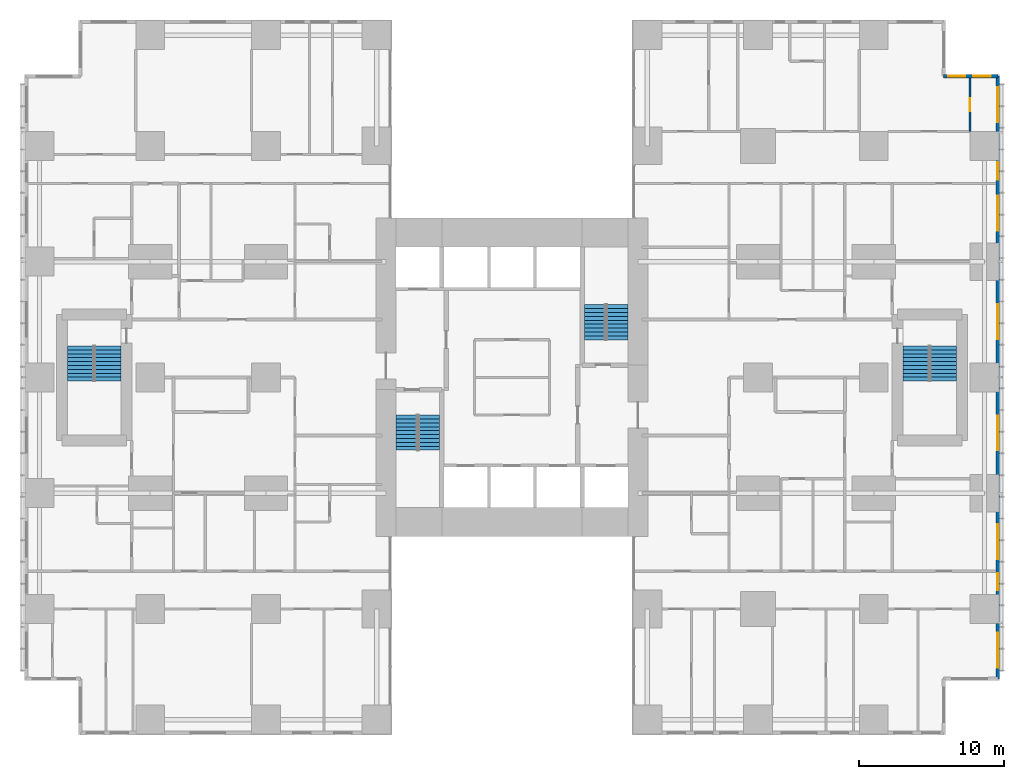
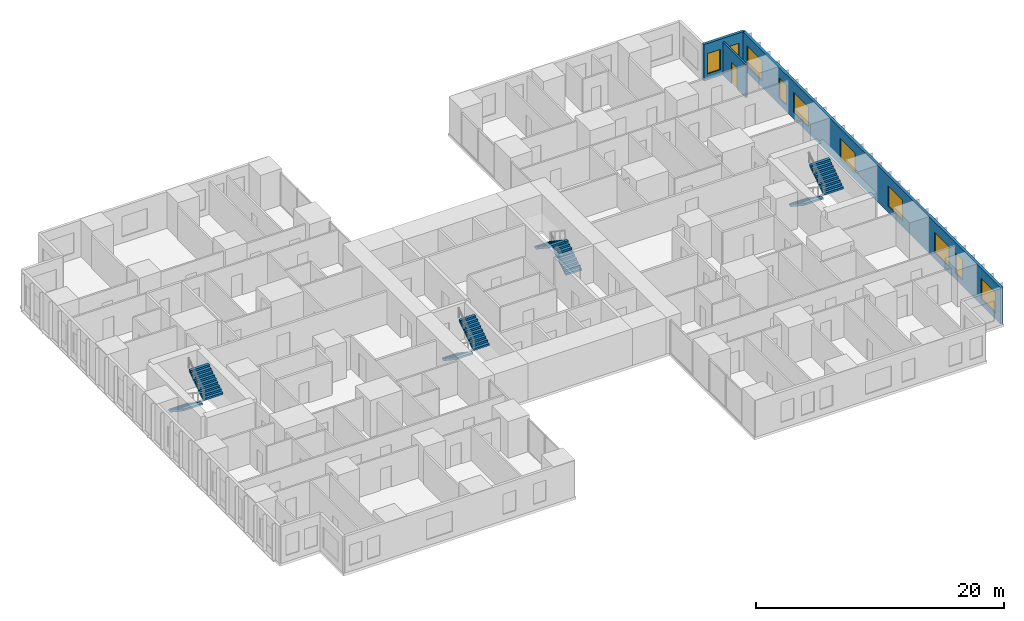
# One storey, part 19 of 20: 10 windows, 8 stair flights, 3 walls, 1 door, 11 openings, 4 elements without a shape of their own.
"""IFC4 building model written with IfcOpenShell, lengths in metres."""

from ifc_helpers import new_model, si_unit, direction, frame, frame_2d, origin, place, context, subcontext, project, spatial, polyline, rectangle, outline, extrude, material, layer, layer_set, type_object, element, fill, aggregate, save


model = new_model("IFC4")

# Units and contexts
model_context = context("Model", 3, precision=1e-05, world=origin(), true_north=direction((0.0, 1.0)))
body_context = subcontext(model_context, "Body", "Model", "MODEL_VIEW")
ifc_project = project(units=[si_unit("LENGTHUNIT", "METRE"), si_unit("AREAUNIT", "SQUARE_METRE"), si_unit("VOLUMEUNIT", "CUBIC_METRE"), si_unit("PLANEANGLEUNIT", "RADIAN"), si_unit("MASSUNIT", "GRAM", prefix="KILO")], contexts=[model_context])

# Site, building, storey
site_placement = place(None, origin())
site = spatial("IfcSite", under=ifc_project, at=site_placement, CompositionType="ELEMENT")
building_placement = place(site_placement, origin())
building = spatial("IfcBuilding", under=site, at=building_placement, Name="Cleftline Residences", CompositionType="ELEMENT")
storey_placement = place(building_placement, frame((0.0, 0.0, 87.199951171875)))
storey = spatial("IfcBuildingStorey", under=building, at=storey_placement, Name="L22", CompositionType="ELEMENT", Elevation=87.199951171875)

# Wall, openings, windows
ifc_material_1 = material(Name="Rendered reinforced concrete blockwork", Category="masonry")
ifc_layer_1 = layer(ifc_material_1, 0.25)
ifc_layer_set_1 = layer_set([ifc_layer_1], Name="EXTERNAL WALL 250")
wall_type_1 = type_object("IfcWallType", Name="EXTERNAL WALL 250", PredefinedType="SOLIDWALL", material=ifc_layer_set_1)
wall_1_placement = place(storey_placement, frame((66.574951171875, 3.175048828125, 0.0), z_axis=(0.0, 0.0, 1.0), x_axis=(0.0, 1.0, 0.0)))
wall_1 = element("IfcWall", 1, at=wall_1_placement, inside=storey, type_object=wall_type_1, Name="External wall", PredefinedType="SOLIDWALL", context=body_context, shape_type="SweptSolid", body=[
    extrude(rectangle(XDim=41.64990234375, YDim=0.25, at=frame_2d((20.824951171875, 0.0))), origin(), (0.0, 0.0, 1.0), 3.60009765625),
])
opening_1_placement = place(wall_1_placement, frame((0.77490234375, 0.0, 0.60009765625)))
opening_1 = element("IfcOpeningElement", 2, at=opening_1_placement, cuts=wall_1, Name="Opening W6", PredefinedType="OPENING", context=body_context, shape_type="SweptSolid", body=[
    extrude(rectangle(XDim=2.39990234375, YDim=2.0, at=frame_2d((1.199951171875, 1.0))), frame((0.0, 0.135009765625, 0.0), z_axis=(0.0, -1.0, 0.0), x_axis=(1.0, 0.0, 0.0)), (0.0, 0.0, 1.0), 0.27001953125),
])
opening_2_placement = place(wall_1_placement, frame((6.10009765625, 0.0, 0.60009765625)))
opening_2 = element("IfcOpeningElement", 3, at=opening_2_placement, cuts=wall_1, Name="Opening W8", PredefinedType="OPENING", context=body_context, shape_type="SweptSolid", body=[
    extrude(rectangle(XDim=1.199951171875, YDim=2.0, at=frame_2d((0.60009765625, 1.0))), frame((0.0, 0.135009765625, 0.0), z_axis=(0.0, -1.0, 0.0), x_axis=(1.0, 0.0, 0.0)), (0.0, 0.0, 1.0), 0.27001953125),
])
opening_3_placement = place(wall_1_placement, frame((8.27490234375, 0.0, 0.60009765625)))
opening_3 = element("IfcOpeningElement", 4, at=opening_3_placement, cuts=wall_1, Name="Opening W6", PredefinedType="OPENING", context=body_context, shape_type="SweptSolid", body=[
    extrude(rectangle(XDim=2.39990234375, YDim=2.0, at=frame_2d((1.199951171875, 1.0))), frame((0.0, 0.135009765625, 0.0), z_axis=(0.0, -1.0, 0.0), x_axis=(1.0, 0.0, 0.0)), (0.0, 0.0, 1.0), 0.27001953125),
])
opening_4_placement = place(wall_1_placement, frame((15.77490234375, 0.0, 0.60009765625)))
opening_4 = element("IfcOpeningElement", 5, at=opening_4_placement, cuts=wall_1, Name="Opening W6", PredefinedType="OPENING", context=body_context, shape_type="SweptSolid", body=[
    extrude(rectangle(XDim=2.39990234375, YDim=2.0, at=frame_2d((1.199951171875, 1.0))), frame((0.0, 0.135009765625, 0.0), z_axis=(0.0, -1.0, 0.0), x_axis=(1.0, 0.0, 0.0)), (0.0, 0.0, 1.0), 0.27001953125),
])
opening_5_placement = place(wall_1_placement, frame((23.47509765625, 0.0, 0.60009765625)))
opening_5 = element("IfcOpeningElement", 6, at=opening_5_placement, cuts=wall_1, Name="Opening W6", PredefinedType="OPENING", context=body_context, shape_type="SweptSolid", body=[
    extrude(rectangle(XDim=2.39990234375, YDim=2.0, at=frame_2d((1.199951171875, 1.0))), frame((0.0, 0.135009765625, 0.0), z_axis=(0.0, -1.0, 0.0), x_axis=(1.0, 0.0, 0.0)), (0.0, 0.0, 1.0), 0.27001953125),
])
opening_6_placement = place(wall_1_placement, frame((30.97509765625, 0.0, 0.60009765625)))
opening_6 = element("IfcOpeningElement", 7, at=opening_6_placement, cuts=wall_1, Name="Opening W6", PredefinedType="OPENING", context=body_context, shape_type="SweptSolid", body=[
    extrude(rectangle(XDim=2.39990234375, YDim=2.0, at=frame_2d((1.199951171875, 1.0))), frame((0.0, 0.135009765625, 0.0), z_axis=(0.0, -1.0, 0.0), x_axis=(1.0, 0.0, 0.0)), (0.0, 0.0, 1.0), 0.27001953125),
])
opening_7_placement = place(wall_1_placement, frame((34.5, 0.0, 0.60009765625)))
opening_7 = element("IfcOpeningElement", 8, at=opening_7_placement, cuts=wall_1, Name="Opening W8", PredefinedType="OPENING", context=body_context, shape_type="SweptSolid", body=[
    extrude(rectangle(XDim=1.199951171875, YDim=2.0, at=frame_2d((0.60009765625, 1.0))), frame((0.0, 0.135009765625, 0.0), z_axis=(0.0, -1.0, 0.0), x_axis=(1.0, 0.0, 0.0)), (0.0, 0.0, 1.0), 0.27001953125),
])
opening_8_placement = place(wall_1_placement, frame((38.47509765625, 0.0, 0.60009765625)))
opening_8 = element("IfcOpeningElement", 9, at=opening_8_placement, cuts=wall_1, Name="Opening W6", PredefinedType="OPENING", context=body_context, shape_type="SweptSolid", body=[
    extrude(rectangle(XDim=2.39990234375, YDim=2.0, at=frame_2d((1.199951171875, 1.0))), frame((0.0, 0.135009765625, 0.0), z_axis=(0.0, -1.0, 0.0), x_axis=(1.0, 0.0, 0.0)), (0.0, 0.0, 1.0), 0.27001953125),
])
ifc_material_2 = material(Name="Aluminium frame, clear double glazing", Category="aluminium")
window_type_1 = type_object("IfcWindowType", Name="WINDOW 1200X2000", PartitioningType="DOUBLE_PANEL_VERTICAL", PredefinedType="WINDOW", material=ifc_material_2)
window_1_placement = place(opening_2_placement, origin())
window_1 = element("IfcWindow", 10, at=window_1_placement, inside=storey, type_object=window_type_1, Name="Window", OverallHeight=2.0, OverallWidth=1.199951171875, PartitioningType="SINGLE_PANEL", PredefinedType="WINDOW", context=body_context, shape_type="SweptSolid", body=[
    extrude(rectangle(XDim=1.199951171875, YDim=2.0, at=frame_2d((0.60009765625, 1.0))), frame((0.0, 0.030029296875, 0.0), z_axis=(0.0, -1.0, 0.0), x_axis=(1.0, 0.0, 0.0)), (0.0, 0.0, 1.0), 0.06005859375),
])
fill(opening_2, window_1)
window_2_placement = place(opening_7_placement, origin())
window_2 = element("IfcWindow", 11, at=window_2_placement, inside=storey, type_object=window_type_1, Name="Window", OverallHeight=2.0, OverallWidth=1.199951171875, PartitioningType="SINGLE_PANEL", PredefinedType="WINDOW", context=body_context, shape_type="SweptSolid", body=[
    extrude(rectangle(XDim=1.199951171875, YDim=2.0, at=frame_2d((0.60009765625, 1.0))), frame((0.0, 0.030029296875, 0.0), z_axis=(0.0, -1.0, 0.0), x_axis=(1.0, 0.0, 0.0)), (0.0, 0.0, 1.0), 0.06005859375),
])
fill(opening_7, window_2)
ifc_material_3 = material(Name="Aluminium frame, clear double glazing", Category="aluminium")
window_type_2 = type_object("IfcWindowType", Name="WINDOW 2400X2000", PartitioningType="DOUBLE_PANEL_VERTICAL", PredefinedType="WINDOW", material=ifc_material_3)
window_3_placement = place(opening_1_placement, origin())
window_3 = element("IfcWindow", 12, at=window_3_placement, inside=storey, type_object=window_type_2, Name="Window", OverallHeight=2.0, OverallWidth=2.39990234375, PartitioningType="SINGLE_PANEL", PredefinedType="WINDOW", context=body_context, shape_type="SweptSolid", body=[
    extrude(rectangle(XDim=2.39990234375, YDim=2.0, at=frame_2d((1.199951171875, 1.0))), frame((0.0, 0.030029296875, 0.0), z_axis=(0.0, -1.0, 0.0), x_axis=(1.0, 0.0, 0.0)), (0.0, 0.0, 1.0), 0.06005859375),
])
fill(opening_1, window_3)
window_4_placement = place(opening_3_placement, origin())
window_4 = element("IfcWindow", 13, at=window_4_placement, inside=storey, type_object=window_type_2, Name="Window", OverallHeight=2.0, OverallWidth=2.39990234375, PartitioningType="SINGLE_PANEL", PredefinedType="WINDOW", context=body_context, shape_type="SweptSolid", body=[
    extrude(rectangle(XDim=2.39990234375, YDim=2.0, at=frame_2d((1.199951171875, 1.0))), frame((0.0, 0.030029296875, 0.0), z_axis=(0.0, -1.0, 0.0), x_axis=(1.0, 0.0, 0.0)), (0.0, 0.0, 1.0), 0.06005859375),
])
fill(opening_3, window_4)
window_5_placement = place(opening_4_placement, origin())
window_5 = element("IfcWindow", 14, at=window_5_placement, inside=storey, type_object=window_type_2, Name="Window", OverallHeight=2.0, OverallWidth=2.39990234375, PartitioningType="SINGLE_PANEL", PredefinedType="WINDOW", context=body_context, shape_type="SweptSolid", body=[
    extrude(rectangle(XDim=2.39990234375, YDim=2.0, at=frame_2d((1.199951171875, 1.0))), frame((0.0, 0.030029296875, 0.0), z_axis=(0.0, -1.0, 0.0), x_axis=(1.0, 0.0, 0.0)), (0.0, 0.0, 1.0), 0.06005859375),
])
fill(opening_4, window_5)
window_6_placement = place(opening_5_placement, origin())
window_6 = element("IfcWindow", 15, at=window_6_placement, inside=storey, type_object=window_type_2, Name="Window", OverallHeight=2.0, OverallWidth=2.39990234375, PartitioningType="SINGLE_PANEL", PredefinedType="WINDOW", context=body_context, shape_type="SweptSolid", body=[
    extrude(rectangle(XDim=2.39990234375, YDim=2.0, at=frame_2d((1.199951171875, 1.0))), frame((0.0, 0.030029296875, 0.0), z_axis=(0.0, -1.0, 0.0), x_axis=(1.0, 0.0, 0.0)), (0.0, 0.0, 1.0), 0.06005859375),
])
fill(opening_5, window_6)
window_7_placement = place(opening_6_placement, origin())
window_7 = element("IfcWindow", 16, at=window_7_placement, inside=storey, type_object=window_type_2, Name="Window", OverallHeight=2.0, OverallWidth=2.39990234375, PartitioningType="SINGLE_PANEL", PredefinedType="WINDOW", context=body_context, shape_type="SweptSolid", body=[
    extrude(rectangle(XDim=2.39990234375, YDim=2.0, at=frame_2d((1.199951171875, 1.0))), frame((0.0, 0.030029296875, 0.0), z_axis=(0.0, -1.0, 0.0), x_axis=(1.0, 0.0, 0.0)), (0.0, 0.0, 1.0), 0.06005859375),
])
fill(opening_6, window_7)
window_8_placement = place(opening_8_placement, origin())
window_8 = element("IfcWindow", 17, at=window_8_placement, inside=storey, type_object=window_type_2, Name="Window", OverallHeight=2.0, OverallWidth=2.39990234375, PartitioningType="SINGLE_PANEL", PredefinedType="WINDOW", context=body_context, shape_type="SweptSolid", body=[
    extrude(rectangle(XDim=2.39990234375, YDim=2.0, at=frame_2d((1.199951171875, 1.0))), frame((0.0, 0.030029296875, 0.0), z_axis=(0.0, -1.0, 0.0), x_axis=(1.0, 0.0, 0.0)), (0.0, 0.0, 1.0), 0.06005859375),
])
fill(opening_8, window_8)

wall_2_placement = place(storey_placement, frame((66.574951171875, 44.824951171875, 0.0), z_axis=(0.0, 0.0, 1.0), x_axis=(-1.0, 0.0, 0.0)))
wall_2 = element("IfcWall", 18, at=wall_2_placement, inside=storey, type_object=wall_type_1, Name="External wall", PredefinedType="SOLIDWALL", context=body_context, shape_type="SweptSolid", body=[
    extrude(rectangle(XDim=3.75, YDim=0.25, at=frame_2d((1.875, 0.0))), origin(), (0.0, 0.0, 1.0), 3.60009765625),
])
opening_9_placement = place(wall_2_placement, frame((0.5, 0.0, 0.60009765625)))
opening_9 = element("IfcOpeningElement", 19, at=opening_9_placement, cuts=wall_2, Name="Opening W8", PredefinedType="OPENING", context=body_context, shape_type="SweptSolid", body=[
    extrude(rectangle(XDim=1.199951171875, YDim=2.0, at=frame_2d((0.60009765625, 1.0))), frame((0.0, 0.135009765625, 0.0), z_axis=(0.0, -1.0, 0.0), x_axis=(1.0, 0.0, 0.0)), (0.0, 0.0, 1.0), 0.27001953125),
])
opening_10_placement = place(wall_2_placement, frame((2.237548828125, 0.0, 0.60009765625)))
opening_10 = element("IfcOpeningElement", 20, at=opening_10_placement, cuts=wall_2, Name="Opening W8", PredefinedType="OPENING", context=body_context, shape_type="SweptSolid", body=[
    extrude(rectangle(XDim=1.199951171875, YDim=2.0, at=frame_2d((0.60009765625, 1.0))), frame((0.0, 0.135009765625, 0.0), z_axis=(0.0, -1.0, 0.0), x_axis=(1.0, 0.0, 0.0)), (0.0, 0.0, 1.0), 0.27001953125),
])
window_9_placement = place(opening_9_placement, origin())
window_9 = element("IfcWindow", 21, at=window_9_placement, inside=storey, type_object=window_type_1, Name="Window", OverallHeight=2.0, OverallWidth=1.199951171875, PartitioningType="SINGLE_PANEL", PredefinedType="WINDOW", context=body_context, shape_type="SweptSolid", body=[
    extrude(rectangle(XDim=1.199951171875, YDim=2.0, at=frame_2d((0.60009765625, 1.0))), frame((0.0, 0.030029296875, 0.0), z_axis=(0.0, -1.0, 0.0), x_axis=(1.0, 0.0, 0.0)), (0.0, 0.0, 1.0), 0.06005859375),
])
fill(opening_9, window_9)
window_10_placement = place(opening_10_placement, origin())
window_10 = element("IfcWindow", 22, at=window_10_placement, inside=storey, type_object=window_type_1, Name="Window", OverallHeight=2.0, OverallWidth=1.199951171875, PartitioningType="SINGLE_PANEL", PredefinedType="WINDOW", context=body_context, shape_type="SweptSolid", body=[
    extrude(rectangle(XDim=1.199951171875, YDim=2.0, at=frame_2d((0.60009765625, 1.0))), frame((0.0, 0.030029296875, 0.0), z_axis=(0.0, -1.0, 0.0), x_axis=(1.0, 0.0, 0.0)), (0.0, 0.0, 1.0), 0.06005859375),
])
fill(opening_10, window_10)

# Wall, opening, door
ifc_material_4 = material(Name="Gypsum board on steel studs", Category="steel")
ifc_layer_2 = layer(ifc_material_4, 0.14990234375)
ifc_layer_set_2 = layer_set([ifc_layer_2], Name="PARTITION 150")
wall_type_2 = type_object("IfcWallType", Name="PARTITION 150", PredefinedType="PARTITIONING", material=ifc_layer_set_2)
wall_3_placement = place(storey_placement, frame((64.64990234375, 41.0, 0.0), z_axis=(0.0, 0.0, 1.0), x_axis=(0.0, 1.0, 0.0)))
wall_3 = element("IfcWall", 23, at=wall_3_placement, inside=storey, type_object=wall_type_2, Name="Partition", PredefinedType="PARTITIONING", context=body_context, shape_type="SweptSolid", body=[
    extrude(rectangle(XDim=3.699951171875, YDim=0.14990234375, at=frame_2d((1.85009765625, 0.0))), origin(), (0.0, 0.0, 1.0), 3.25),
])
opening_11_placement = place(wall_3_placement, frame((1.39990234375, 0.0, 0.0)))
opening_11 = element("IfcOpeningElement", 24, at=opening_11_placement, cuts=wall_3, Name="Opening D1", PredefinedType="OPENING", context=body_context, shape_type="SweptSolid", body=[
    extrude(rectangle(XDim=0.89990234375, YDim=2.10009765625, at=frame_2d((0.449951171875, 1.050048828125))), frame((0.0, 0.0849609375, 0.0), z_axis=(0.0, -1.0, 0.0), x_axis=(1.0, 0.0, 0.0)), (0.0, 0.0, 1.0), 0.169921875),
])
ifc_material_5 = material(Name="Timber veneer on solid core", Category="wood")
door_type = type_object("IfcDoorType", Name="DOOR 900X2100", OperationType="SINGLE_SWING_LEFT", PredefinedType="DOOR", material=ifc_material_5)
door_placement = place(opening_11_placement, origin())
door = element("IfcDoor", 25, at=door_placement, inside=storey, type_object=door_type, Name="Door to walk-in wardrobe", OperationType="SINGLE_SWING_LEFT", OverallHeight=2.10009765625, OverallWidth=0.89990234375, PredefinedType="DOOR", context=body_context, shape_type="SweptSolid", body=[
    extrude(rectangle(XDim=0.89990234375, YDim=2.10009765625, at=frame_2d((0.449951171875, 1.050048828125))), frame((0.0, 0.02490234375, 0.0), z_axis=(0.0, -1.0, 0.0), x_axis=(1.0, 0.0, 0.0)), (0.0, 0.0, 1.0), 0.050048828125),
])
fill(opening_11, door)

# Stair, stair flights
ifc_material_6 = material(Name="Concrete B45, stone treads", Category="masonry")
stair_type_1 = type_object("IfcStairType", Name="STAIR A 1450 WIDE 180 RISER", PredefinedType="HALF_TURN_STAIR", material=ifc_material_6)
stair_1_placement = place(storey_placement, origin())
stair_1 = element("IfcStair", 26, at=stair_1_placement, inside=storey, type_object=stair_type_1, Name="Stair A L22", PredefinedType="HALF_TURN_STAIR")
ifc_material_7 = material(Name="Concrete B45", Category="concrete")
stair_flight_type_1 = type_object("IfcStairFlightType", Name="STAIR A FLIGHT 1450X180", PredefinedType="STRAIGHT", material=ifc_material_7)
stair_flight_1_placement = place(storey_placement, frame((25.72509765625, 21.39990234375, 0.0), z_axis=(0.0, 0.0, 1.0), x_axis=(0.0, -1.0, 0.0)))
stair_flight_1 = element("IfcStairFlight", 27, at=stair_flight_1_placement, type_object=stair_flight_type_1, Name="ST-A flight 1", NumberOfRisers=10, NumberOfTreads=9, PredefinedType="STRAIGHT", RiserHeight=0.18, TreadLength=0.27, context=body_context, shape_type="SweptSolid", body=[
    extrude(outline(polyline([(0.0, 0.0), (0.0, 0.013916015625), (0.0, 0.027587890625), (0.0, 0.04150390625), (0.0, 0.055419921875), (0.0, 0.0693359375), (0.0, 0.0830078125), (0.0, 0.096923828125), (0.0, 0.11083984375), (0.0, 0.12451171875), (0.0, 0.138427734375), (0.0, 0.15234375), (0.0, 0.166259765625), (0.0, 0.179931640625), (0.27001953125, 0.179931640625), (0.27001953125, 0.360107421875), (0.5400390625, 0.360107421875), (0.5400390625, 0.5400390625), (0.81005859375, 0.5400390625), (0.81005859375, 0.719970703125), (1.080078125, 0.719970703125), (1.080078125, 0.89990234375), (1.35009765625, 0.89990234375), (1.35009765625, 1.080078125), (1.6201171875, 1.080078125), (1.6201171875, 1.260009765625), (1.889892578125, 1.260009765625), (1.889892578125, 1.43994140625), (2.159912109375, 1.43994140625), (2.159912109375, 1.6201171875), (2.429931640625, 1.6201171875), (2.429931640625, 1.800048828125), (2.429931640625, 1.772216796875), (2.429931640625, 1.74462890625), (2.429931640625, 1.716796875), (2.429931640625, 1.689208984375), (2.429931640625, 1.661376953125), (2.429931640625, 1.6337890625), (2.429931640625, 1.60595703125), (2.429931640625, 1.578369140625), (2.429931640625, 1.550537109375), (2.429931640625, 1.52294921875), (2.429931640625, 1.495361328125), (2.429931640625, 1.467529296875), (2.429931640625, 1.43994140625), (0.270263671875, 0.0), (0.0, 0.0)])), frame((0.0, 0.72509765625, 0.0), z_axis=(0.0, -1.0, 0.0), x_axis=(1.0, 0.0, 0.0)), (0.0, 0.0, 1.0), 1.449951171875),
])
stair_flight_2_placement = place(storey_placement, frame((27.27490234375, 18.969970703125, 1.800048828125), z_axis=(0.0, 0.0, 1.0), x_axis=(0.0, 1.0, 0.0)))
stair_flight_2 = element("IfcStairFlight", 28, at=stair_flight_2_placement, type_object=stair_flight_type_1, Name="ST-A flight 2", NumberOfRisers=10, NumberOfTreads=9, PredefinedType="STRAIGHT", RiserHeight=0.18, TreadLength=0.27, context=body_context, shape_type="SweptSolid", body=[
    extrude(outline(polyline([(0.0, 0.0), (0.0, 0.013916015625), (0.0, 0.027587890625), (0.0, 0.04150390625), (0.0, 0.055419921875), (0.0, 0.0693359375), (0.0, 0.0830078125), (0.0, 0.096923828125), (0.0, 0.11083984375), (0.0, 0.12451171875), (0.0, 0.138427734375), (0.0, 0.15234375), (0.0, 0.166259765625), (0.0, 0.179931640625), (0.27001953125, 0.179931640625), (0.27001953125, 0.360107421875), (0.5400390625, 0.360107421875), (0.5400390625, 0.5400390625), (0.81005859375, 0.5400390625), (0.81005859375, 0.719970703125), (1.080078125, 0.719970703125), (1.080078125, 0.89990234375), (1.35009765625, 0.89990234375), (1.35009765625, 1.080078125), (1.6201171875, 1.080078125), (1.6201171875, 1.260009765625), (1.889892578125, 1.260009765625), (1.889892578125, 1.43994140625), (2.159912109375, 1.43994140625), (2.159912109375, 1.6201171875), (2.429931640625, 1.6201171875), (2.429931640625, 1.800048828125), (2.429931640625, 1.772216796875), (2.429931640625, 1.74462890625), (2.429931640625, 1.716796875), (2.429931640625, 1.689208984375), (2.429931640625, 1.661376953125), (2.429931640625, 1.6337890625), (2.429931640625, 1.60595703125), (2.429931640625, 1.578369140625), (2.429931640625, 1.550537109375), (2.429931640625, 1.52294921875), (2.429931640625, 1.495361328125), (2.429931640625, 1.467529296875), (2.429931640625, 1.43994140625), (0.270263671875, 0.0), (0.0, 0.0)])), frame((0.0, 0.72509765625, 0.0), z_axis=(0.0, -1.0, 0.0), x_axis=(1.0, 0.0, 0.0)), (0.0, 0.0, 1.0), 1.449951171875),
])
aggregate(stair_1, [stair_flight_1, stair_flight_2])

ifc_material_8 = material(Name="Concrete B45, stone treads", Category="masonry")
stair_type_2 = type_object("IfcStairType", Name="STAIR B 1450 WIDE 180 RISER", PredefinedType="HALF_TURN_STAIR", material=ifc_material_8)
stair_2_placement = place(storey_placement, origin())
stair_2 = element("IfcStair", 29, at=stair_2_placement, inside=storey, type_object=stair_type_2, Name="Stair B L22", PredefinedType="HALF_TURN_STAIR")
ifc_material_9 = material(Name="Concrete B45", Category="concrete")
stair_flight_type_2 = type_object("IfcStairFlightType", Name="STAIR B FLIGHT 1450X180", PredefinedType="STRAIGHT", material=ifc_material_9)
stair_flight_3_placement = place(storey_placement, frame((40.27490234375, 26.60009765625, 0.0), z_axis=(0.0, 0.0, 1.0), x_axis=(0.0, 1.0, 0.0)))
stair_flight_3 = element("IfcStairFlight", 30, at=stair_flight_3_placement, type_object=stair_flight_type_2, Name="ST-B flight 1", NumberOfRisers=10, NumberOfTreads=9, PredefinedType="STRAIGHT", RiserHeight=0.18, TreadLength=0.27, context=body_context, shape_type="SweptSolid", body=[
    extrude(outline(polyline([(0.0, 0.0), (0.0, 0.013916015625), (0.0, 0.027587890625), (0.0, 0.04150390625), (0.0, 0.055419921875), (0.0, 0.0693359375), (0.0, 0.0830078125), (0.0, 0.096923828125), (0.0, 0.11083984375), (0.0, 0.12451171875), (0.0, 0.138427734375), (0.0, 0.15234375), (0.0, 0.166259765625), (0.0, 0.179931640625), (0.27001953125, 0.179931640625), (0.27001953125, 0.360107421875), (0.5400390625, 0.360107421875), (0.5400390625, 0.5400390625), (0.81005859375, 0.5400390625), (0.81005859375, 0.719970703125), (1.080078125, 0.719970703125), (1.080078125, 0.89990234375), (1.35009765625, 0.89990234375), (1.35009765625, 1.080078125), (1.6201171875, 1.080078125), (1.6201171875, 1.260009765625), (1.889892578125, 1.260009765625), (1.889892578125, 1.43994140625), (2.159912109375, 1.43994140625), (2.159912109375, 1.6201171875), (2.429931640625, 1.6201171875), (2.429931640625, 1.800048828125), (2.429931640625, 1.772216796875), (2.429931640625, 1.74462890625), (2.429931640625, 1.716796875), (2.429931640625, 1.689208984375), (2.429931640625, 1.661376953125), (2.429931640625, 1.6337890625), (2.429931640625, 1.60595703125), (2.429931640625, 1.578369140625), (2.429931640625, 1.550537109375), (2.429931640625, 1.52294921875), (2.429931640625, 1.495361328125), (2.429931640625, 1.467529296875), (2.429931640625, 1.43994140625), (0.270263671875, 0.0), (0.0, 0.0)])), frame((0.0, 0.72509765625, 0.0), z_axis=(0.0, -1.0, 0.0), x_axis=(1.0, 0.0, 0.0)), (0.0, 0.0, 1.0), 1.449951171875),
])
stair_flight_4_placement = place(storey_placement, frame((38.72509765625, 29.030029296875, 1.800048828125), z_axis=(0.0, 0.0, 1.0), x_axis=(0.0, -1.0, 0.0)))
stair_flight_4 = element("IfcStairFlight", 31, at=stair_flight_4_placement, type_object=stair_flight_type_2, Name="ST-B flight 2", NumberOfRisers=10, NumberOfTreads=9, PredefinedType="STRAIGHT", RiserHeight=0.18, TreadLength=0.27, context=body_context, shape_type="SweptSolid", body=[
    extrude(outline(polyline([(0.0, 0.0), (0.0, 0.013916015625), (0.0, 0.027587890625), (0.0, 0.04150390625), (0.0, 0.055419921875), (0.0, 0.0693359375), (0.0, 0.0830078125), (0.0, 0.096923828125), (0.0, 0.11083984375), (0.0, 0.12451171875), (0.0, 0.138427734375), (0.0, 0.15234375), (0.0, 0.166259765625), (0.0, 0.179931640625), (0.27001953125, 0.179931640625), (0.27001953125, 0.360107421875), (0.5400390625, 0.360107421875), (0.5400390625, 0.5400390625), (0.81005859375, 0.5400390625), (0.81005859375, 0.719970703125), (1.080078125, 0.719970703125), (1.080078125, 0.89990234375), (1.35009765625, 0.89990234375), (1.35009765625, 1.080078125), (1.6201171875, 1.080078125), (1.6201171875, 1.260009765625), (1.889892578125, 1.260009765625), (1.889892578125, 1.43994140625), (2.159912109375, 1.43994140625), (2.159912109375, 1.6201171875), (2.429931640625, 1.6201171875), (2.429931640625, 1.800048828125), (2.429931640625, 1.772216796875), (2.429931640625, 1.74462890625), (2.429931640625, 1.716796875), (2.429931640625, 1.689208984375), (2.429931640625, 1.661376953125), (2.429931640625, 1.6337890625), (2.429931640625, 1.60595703125), (2.429931640625, 1.578369140625), (2.429931640625, 1.550537109375), (2.429931640625, 1.52294921875), (2.429931640625, 1.495361328125), (2.429931640625, 1.467529296875), (2.429931640625, 1.43994140625), (0.270263671875, 0.0), (0.0, 0.0)])), frame((0.0, 0.72509765625, 0.0), z_axis=(0.0, -1.0, 0.0), x_axis=(1.0, 0.0, 0.0)), (0.0, 0.0, 1.0), 1.449951171875),
])
aggregate(stair_2, [stair_flight_3, stair_flight_4])

ifc_material_10 = material(Name="Concrete B45, stone treads", Category="masonry")
stair_type_3 = type_object("IfcStairType", Name="STAIR E 1800 WIDE 180 RISER", PredefinedType="HALF_TURN_STAIR", material=ifc_material_10)
stair_3_placement = place(storey_placement, origin())
stair_3 = element("IfcStair", 32, at=stair_3_placement, inside=storey, type_object=stair_type_3, Name="Stair E L22", PredefinedType="HALF_TURN_STAIR")
ifc_material_11 = material(Name="Concrete B45", Category="concrete")
stair_flight_type_3 = type_object("IfcStairFlightType", Name="STAIR E FLIGHT 1800X180", PredefinedType="STRAIGHT", material=ifc_material_11)
stair_flight_5_placement = place(storey_placement, frame((60.925048828125, 26.175048828125, 0.0), z_axis=(0.0, 0.0, 1.0), x_axis=(0.0, -1.0, 0.0)))
stair_flight_5 = element("IfcStairFlight", 33, at=stair_flight_5_placement, type_object=stair_flight_type_3, Name="ST-E flight 1", NumberOfRisers=10, NumberOfTreads=9, PredefinedType="STRAIGHT", RiserHeight=0.18, TreadLength=0.27, context=body_context, shape_type="SweptSolid", body=[
    extrude(outline(polyline([(0.0, 0.0), (0.0, 0.013916015625), (0.0, 0.027587890625), (0.0, 0.04150390625), (0.0, 0.055419921875), (0.0, 0.0693359375), (0.0, 0.0830078125), (0.0, 0.096923828125), (0.0, 0.11083984375), (0.0, 0.12451171875), (0.0, 0.138427734375), (0.0, 0.15234375), (0.0, 0.166259765625), (0.0, 0.179931640625), (0.27001953125, 0.179931640625), (0.27001953125, 0.360107421875), (0.5400390625, 0.360107421875), (0.5400390625, 0.5400390625), (0.81005859375, 0.5400390625), (0.81005859375, 0.719970703125), (1.080078125, 0.719970703125), (1.080078125, 0.89990234375), (1.35009765625, 0.89990234375), (1.35009765625, 1.080078125), (1.6201171875, 1.080078125), (1.6201171875, 1.260009765625), (1.889892578125, 1.260009765625), (1.889892578125, 1.43994140625), (2.159912109375, 1.43994140625), (2.159912109375, 1.6201171875), (2.429931640625, 1.6201171875), (2.429931640625, 1.800048828125), (2.429931640625, 1.772216796875), (2.429931640625, 1.74462890625), (2.429931640625, 1.716796875), (2.429931640625, 1.689208984375), (2.429931640625, 1.661376953125), (2.429931640625, 1.6337890625), (2.429931640625, 1.60595703125), (2.429931640625, 1.578369140625), (2.429931640625, 1.550537109375), (2.429931640625, 1.52294921875), (2.429931640625, 1.495361328125), (2.429931640625, 1.467529296875), (2.429931640625, 1.43994140625), (0.270263671875, 0.0), (0.0, 0.0)])), frame((0.0, 0.89990234375, 0.0), z_axis=(0.0, -1.0, 0.0), x_axis=(1.0, 0.0, 0.0)), (0.0, 0.0, 1.0), 1.800048828125),
])
stair_flight_6_placement = place(storey_placement, frame((62.824951171875, 23.7451171875, 1.800048828125), z_axis=(0.0, 0.0, 1.0), x_axis=(0.0, 1.0, 0.0)))
stair_flight_6 = element("IfcStairFlight", 34, at=stair_flight_6_placement, type_object=stair_flight_type_3, Name="ST-E flight 2", NumberOfRisers=10, NumberOfTreads=9, PredefinedType="STRAIGHT", RiserHeight=0.18, TreadLength=0.27, context=body_context, shape_type="SweptSolid", body=[
    extrude(outline(polyline([(0.0, 0.0), (0.0, 0.013916015625), (0.0, 0.027587890625), (0.0, 0.04150390625), (0.0, 0.055419921875), (0.0, 0.0693359375), (0.0, 0.0830078125), (0.0, 0.096923828125), (0.0, 0.11083984375), (0.0, 0.12451171875), (0.0, 0.138427734375), (0.0, 0.15234375), (0.0, 0.166259765625), (0.0, 0.179931640625), (0.27001953125, 0.179931640625), (0.27001953125, 0.360107421875), (0.5400390625, 0.360107421875), (0.5400390625, 0.5400390625), (0.81005859375, 0.5400390625), (0.81005859375, 0.719970703125), (1.080078125, 0.719970703125), (1.080078125, 0.89990234375), (1.35009765625, 0.89990234375), (1.35009765625, 1.080078125), (1.6201171875, 1.080078125), (1.6201171875, 1.260009765625), (1.889892578125, 1.260009765625), (1.889892578125, 1.43994140625), (2.159912109375, 1.43994140625), (2.159912109375, 1.6201171875), (2.429931640625, 1.6201171875), (2.429931640625, 1.800048828125), (2.429931640625, 1.772216796875), (2.429931640625, 1.74462890625), (2.429931640625, 1.716796875), (2.429931640625, 1.689208984375), (2.429931640625, 1.661376953125), (2.429931640625, 1.6337890625), (2.429931640625, 1.60595703125), (2.429931640625, 1.578369140625), (2.429931640625, 1.550537109375), (2.429931640625, 1.52294921875), (2.429931640625, 1.495361328125), (2.429931640625, 1.467529296875), (2.429931640625, 1.43994140625), (0.270263671875, 0.0), (0.0, 0.0)])), frame((0.0, 0.89990234375, 0.0), z_axis=(0.0, -1.0, 0.0), x_axis=(1.0, 0.0, 0.0)), (0.0, 0.0, 1.0), 1.800048828125),
])
aggregate(stair_3, [stair_flight_5, stair_flight_6])

ifc_material_12 = material(Name="Concrete B45, stone treads", Category="masonry")
stair_type_4 = type_object("IfcStairType", Name="STAIR W 1800 WIDE 180 RISER", PredefinedType="HALF_TURN_STAIR", material=ifc_material_12)
stair_4_placement = place(storey_placement, origin())
stair_4 = element("IfcStair", 35, at=stair_4_placement, inside=storey, type_object=stair_type_4, Name="Stair W L22", PredefinedType="HALF_TURN_STAIR")
ifc_material_13 = material(Name="Concrete B45", Category="concrete")
stair_flight_type_4 = type_object("IfcStairFlightType", Name="STAIR W FLIGHT 1800X180", PredefinedType="STRAIGHT", material=ifc_material_13)
stair_flight_7_placement = place(storey_placement, frame((3.175048828125, 26.175048828125, 0.0), z_axis=(0.0, 0.0, 1.0), x_axis=(0.0, -1.0, 0.0)))
stair_flight_7 = element("IfcStairFlight", 36, at=stair_flight_7_placement, type_object=stair_flight_type_4, Name="ST-W flight 1", NumberOfRisers=10, NumberOfTreads=9, PredefinedType="STRAIGHT", RiserHeight=0.18, TreadLength=0.27, context=body_context, shape_type="SweptSolid", body=[
    extrude(outline(polyline([(0.0, 0.0), (0.0, 0.013916015625), (0.0, 0.027587890625), (0.0, 0.04150390625), (0.0, 0.055419921875), (0.0, 0.0693359375), (0.0, 0.0830078125), (0.0, 0.096923828125), (0.0, 0.11083984375), (0.0, 0.12451171875), (0.0, 0.138427734375), (0.0, 0.15234375), (0.0, 0.166259765625), (0.0, 0.179931640625), (0.27001953125, 0.179931640625), (0.27001953125, 0.360107421875), (0.5400390625, 0.360107421875), (0.5400390625, 0.5400390625), (0.81005859375, 0.5400390625), (0.81005859375, 0.719970703125), (1.080078125, 0.719970703125), (1.080078125, 0.89990234375), (1.35009765625, 0.89990234375), (1.35009765625, 1.080078125), (1.6201171875, 1.080078125), (1.6201171875, 1.260009765625), (1.889892578125, 1.260009765625), (1.889892578125, 1.43994140625), (2.159912109375, 1.43994140625), (2.159912109375, 1.6201171875), (2.429931640625, 1.6201171875), (2.429931640625, 1.800048828125), (2.429931640625, 1.772216796875), (2.429931640625, 1.74462890625), (2.429931640625, 1.716796875), (2.429931640625, 1.689208984375), (2.429931640625, 1.661376953125), (2.429931640625, 1.6337890625), (2.429931640625, 1.60595703125), (2.429931640625, 1.578369140625), (2.429931640625, 1.550537109375), (2.429931640625, 1.52294921875), (2.429931640625, 1.495361328125), (2.429931640625, 1.467529296875), (2.429931640625, 1.43994140625), (0.270263671875, 0.0), (0.0, 0.0)])), frame((0.0, 0.89990234375, 0.0), z_axis=(0.0, -1.0, 0.0), x_axis=(1.0, 0.0, 0.0)), (0.0, 0.0, 1.0), 1.800048828125),
])
stair_flight_8_placement = place(storey_placement, frame((5.074951171875, 23.7451171875, 1.800048828125), z_axis=(0.0, 0.0, 1.0), x_axis=(0.0, 1.0, 0.0)))
stair_flight_8 = element("IfcStairFlight", 37, at=stair_flight_8_placement, type_object=stair_flight_type_4, Name="ST-W flight 2", NumberOfRisers=10, NumberOfTreads=9, PredefinedType="STRAIGHT", RiserHeight=0.18, TreadLength=0.27, context=body_context, shape_type="SweptSolid", body=[
    extrude(outline(polyline([(0.0, 0.0), (0.0, 0.013916015625), (0.0, 0.027587890625), (0.0, 0.04150390625), (0.0, 0.055419921875), (0.0, 0.0693359375), (0.0, 0.0830078125), (0.0, 0.096923828125), (0.0, 0.11083984375), (0.0, 0.12451171875), (0.0, 0.138427734375), (0.0, 0.15234375), (0.0, 0.166259765625), (0.0, 0.179931640625), (0.27001953125, 0.179931640625), (0.27001953125, 0.360107421875), (0.5400390625, 0.360107421875), (0.5400390625, 0.5400390625), (0.81005859375, 0.5400390625), (0.81005859375, 0.719970703125), (1.080078125, 0.719970703125), (1.080078125, 0.89990234375), (1.35009765625, 0.89990234375), (1.35009765625, 1.080078125), (1.6201171875, 1.080078125), (1.6201171875, 1.260009765625), (1.889892578125, 1.260009765625), (1.889892578125, 1.43994140625), (2.159912109375, 1.43994140625), (2.159912109375, 1.6201171875), (2.429931640625, 1.6201171875), (2.429931640625, 1.800048828125), (2.429931640625, 1.772216796875), (2.429931640625, 1.74462890625), (2.429931640625, 1.716796875), (2.429931640625, 1.689208984375), (2.429931640625, 1.661376953125), (2.429931640625, 1.6337890625), (2.429931640625, 1.60595703125), (2.429931640625, 1.578369140625), (2.429931640625, 1.550537109375), (2.429931640625, 1.52294921875), (2.429931640625, 1.495361328125), (2.429931640625, 1.467529296875), (2.429931640625, 1.43994140625), (0.270263671875, 0.0), (0.0, 0.0)])), frame((0.0, 0.89990234375, 0.0), z_axis=(0.0, -1.0, 0.0), x_axis=(1.0, 0.0, 0.0)), (0.0, 0.0, 1.0), 1.800048828125),
])
aggregate(stair_4, [stair_flight_7, stair_flight_8])

save(model, "model.ifc")
